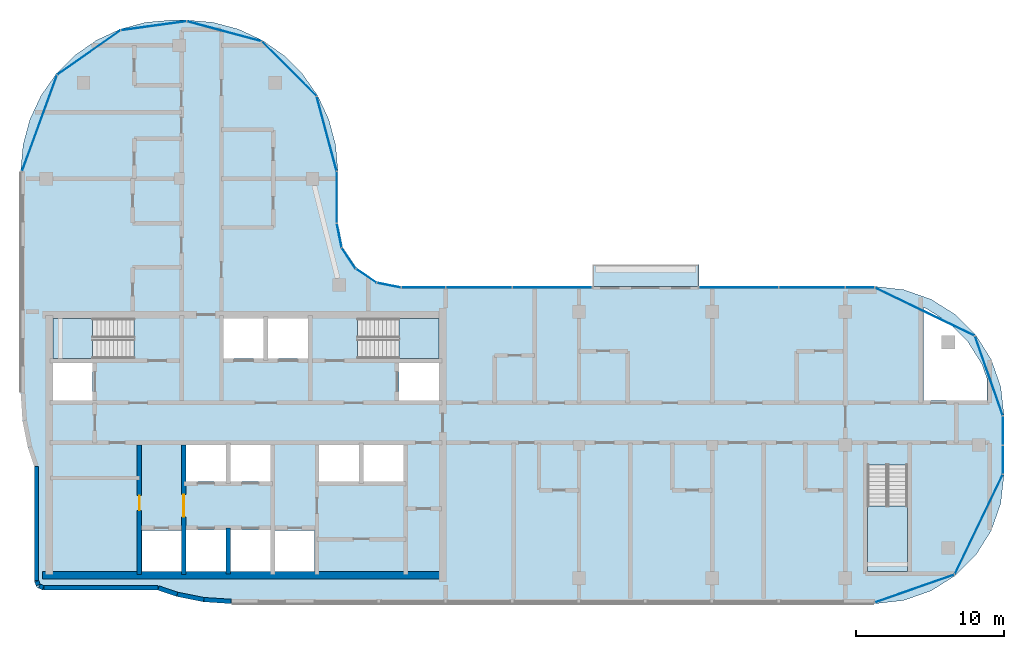
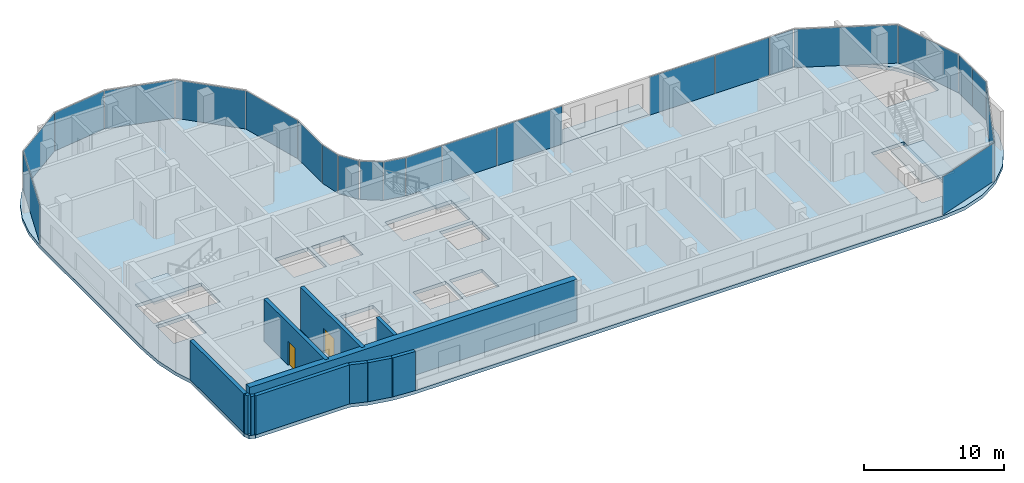
# One storey, part 8 of 19: 23 plates, 11 walls, 5 slabs, 2 doors, 2 openings, 11 elements without a shape of their own.
"""IFC4 building model written with IfcOpenShell, lengths in metres."""

from ifc_helpers import new_model, si_unit, direction, frame, frame_2d, origin, origin_2d, place, context, subcontext, project, spatial, polyline, rectangle, outline, extrude, material, layer, layer_set, type_object, element, fill, aggregate, save


model = new_model("IFC4")

# Units and contexts
model_context = context("Model", 3, precision=1e-05, world=origin(), true_north=direction((0.0, 1.0)))
body_context = subcontext(model_context, "Body", "Model", "MODEL_VIEW")
ifc_project = project(units=[si_unit("LENGTHUNIT", "METRE"), si_unit("AREAUNIT", "SQUARE_METRE"), si_unit("VOLUMEUNIT", "CUBIC_METRE"), si_unit("PLANEANGLEUNIT", "RADIAN"), si_unit("MASSUNIT", "GRAM", prefix="KILO")], contexts=[model_context])

# Site, building, storey
site_placement = place(None, origin())
site = spatial("IfcSite", under=ifc_project, at=site_placement, CompositionType="ELEMENT")
building_placement = place(site_placement, origin())
building = spatial("IfcBuilding", under=site, at=building_placement, Name="Ogive Portal Towers", CompositionType="ELEMENT")
storey_placement = place(building_placement, frame((0.0, 0.0, 199.5)))
storey = spatial("IfcBuildingStorey", under=building, at=storey_placement, Name="L49", CompositionType="ELEMENT", Elevation=199.5)

# Slab
ifc_material_1 = material(Name="Concrete C40/50", Category="concrete")
ifc_layer_1 = layer(ifc_material_1, 0.199951171875)
ifc_layer_set_1 = layer_set([ifc_layer_1], Name="BALCONY SLAB 200")
slab_type_1 = type_object("IfcSlabType", Name="BALCONY SLAB 200", PredefinedType="FLOOR", material=ifc_layer_set_1)
slab_1_placement = place(storey_placement, frame((0.0, 0.0, -0.199951171875)))
element("IfcSlab", 1, at=slab_1_placement, inside=storey, type_object=slab_type_1, Name="Balcony T2", PredefinedType="FLOOR", context=body_context, shape_type="SweptSolid", body=[
    extrude(outline(polyline([(68.39990234375, 41.215087890625), (75.60009765625, 41.215087890625), (75.60009765625, 42.715087890625), (68.39990234375, 42.715087890625), (68.39990234375, 41.215087890625)])), origin(), (0.0, 0.0, 1.0), 0.199951171875),
])

# Curtain wall, plates
ifc_material_2 = material(Name="Glass, clear low-iron insulated glazing", Category="glass")
curtain_wall_type = type_object("IfcCurtainWallType", Name="CW FRONT RIBBON 4500", PredefinedType="NOTDEFINED", material=ifc_material_2)
curtain_wall_1_placement = place(storey_placement, origin())
curtain_wall_1 = element("IfcCurtainWall", 2, at=curtain_wall_1_placement, inside=storey, type_object=curtain_wall_type, Name="A:L49:f10:cw0", PredefinedType="NOTDEFINED")
ifc_layer_2 = layer(ifc_material_2, 0.028076171875)
ifc_layer_set_2 = layer_set([ifc_layer_2], Name="CW PANEL IGU 28")
plate_type = type_object("IfcPlateType", Name="CW PANEL IGU 28", PredefinedType="CURTAIN_PANEL", material=ifc_layer_set_2)
plate_1_placement = place(storey_placement, frame((96.135009765625, 29.509033203125, 0.0), z_axis=(0.0, 0.0, 1.0), x_axis=(0.0, 1.0, 0.0)))
plate_1 = element("IfcPlate", 3, at=plate_1_placement, type_object=plate_type, Name="panel", PredefinedType="CURTAIN_PANEL", context=body_context, shape_type="SweptSolid", body=[
    extrude(rectangle(XDim=1.921630859375, YDim=0.028076171875, at=origin_2d()), origin(), (0.0, 0.0, 1.0), 3.340087890625),
])
plate_2_placement = place(storey_placement, frame((96.135009765625, 31.4931640625, 0.0), z_axis=(0.0, 0.0, 1.0), x_axis=(0.0, 1.0, 0.0)))
plate_2 = element("IfcPlate", 4, at=plate_2_placement, type_object=plate_type, Name="panel", PredefinedType="CURTAIN_PANEL", context=body_context, shape_type="SweptSolid", body=[
    extrude(rectangle(XDim=1.926513671875, YDim=0.028076171875, at=origin_2d()), origin(), (0.0, 0.0, 1.0), 3.340087890625),
])
aggregate(curtain_wall_1, [plate_1, plate_2])

curtain_wall_2_placement = place(storey_placement, origin())
curtain_wall_2 = element("IfcCurtainWall", 5, at=curtain_wall_2_placement, inside=storey, type_object=curtain_wall_type, Name="A:L49:f13:cw0", PredefinedType="NOTDEFINED")
plate_3_placement = place(storey_placement, frame((86.490966796875, 41.135009765625, 0.0), z_axis=(0.0, 0.0, 1.0), x_axis=(-1.0, 0.0, 0.0)))
plate_3 = element("IfcPlate", 6, at=plate_3_placement, type_object=plate_type, Name="panel", PredefinedType="CURTAIN_PANEL", context=body_context, shape_type="SweptSolid", body=[
    extrude(rectangle(XDim=1.921630859375, YDim=0.028076171875, at=origin_2d()), origin(), (0.0, 0.0, 1.0), 3.340087890625),
])
plate_4_placement = place(storey_placement, frame((83.25, 41.135009765625, 0.0), z_axis=(0.0, 0.0, 1.0), x_axis=(-1.0, 0.0, 0.0)))
plate_4 = element("IfcPlate", 7, at=plate_4_placement, type_object=plate_type, Name="panel", PredefinedType="CURTAIN_PANEL", context=body_context, shape_type="SweptSolid", body=[
    extrude(rectangle(XDim=4.43994140625, YDim=0.028076171875, at=origin_2d()), origin(), (0.0, 0.0, 1.0), 3.340087890625),
])
plate_5_placement = place(storey_placement, frame((78.292724609375, 41.135009765625, 0.0), z_axis=(0.0, 0.0, 1.0), x_axis=(-1.0, 0.0, 0.0)))
plate_5 = element("IfcPlate", 8, at=plate_5_placement, type_object=plate_type, Name="panel", PredefinedType="CURTAIN_PANEL", context=body_context, shape_type="SweptSolid", body=[
    extrude(rectangle(XDim=5.3544921875, YDim=0.028076171875, at=origin_2d()), origin(), (0.0, 0.0, 1.0), 3.340087890625),
])
aggregate(curtain_wall_2, [plate_3, plate_4, plate_5])

curtain_wall_3_placement = place(storey_placement, origin())
curtain_wall_3 = element("IfcCurtainWall", 9, at=curtain_wall_3_placement, inside=storey, type_object=curtain_wall_type, Name="A:L49:f13:cw1", PredefinedType="NOTDEFINED")
plate_6_placement = place(storey_placement, frame((65.69384765625, 41.135009765625, 0.0), z_axis=(0.0, 0.0, 1.0), x_axis=(-1.0, 0.0, 0.0)))
plate_6 = element("IfcPlate", 10, at=plate_6_placement, type_object=plate_type, Name="panel", PredefinedType="CURTAIN_PANEL", context=body_context, shape_type="SweptSolid", body=[
    extrude(rectangle(XDim=5.327880859375, YDim=0.028076171875, at=origin_2d()), origin(), (0.0, 0.0, 1.0), 3.340087890625),
])
plate_7_placement = place(storey_placement, frame((60.75, 41.135009765625, 0.0), z_axis=(0.0, 0.0, 1.0), x_axis=(-1.0, 0.0, 0.0)))
plate_7 = element("IfcPlate", 11, at=plate_7_placement, type_object=plate_type, Name="panel", PredefinedType="CURTAIN_PANEL", context=body_context, shape_type="SweptSolid", body=[
    extrude(rectangle(XDim=4.43994140625, YDim=0.028076171875, at=origin_2d()), origin(), (0.0, 0.0, 1.0), 3.340087890625),
])
plate_8_placement = place(storey_placement, frame((56.99609375, 41.135009765625, 0.0), z_axis=(0.0, 0.0, 1.0), x_axis=(-1.0, 0.0, 0.0)))
plate_8 = element("IfcPlate", 12, at=plate_8_placement, type_object=plate_type, Name="panel", PredefinedType="CURTAIN_PANEL", context=body_context, shape_type="SweptSolid", body=[
    extrude(rectangle(XDim=2.947998046875, YDim=0.028076171875, at=origin_2d()), origin(), (0.0, 0.0, 1.0), 3.340087890625),
])
aggregate(curtain_wall_3, [plate_6, plate_7, plate_8])

# Curtain wall, plate
curtain_wall_4_placement = place(storey_placement, origin())
curtain_wall_4 = element("IfcCurtainWall", 13, at=curtain_wall_4_placement, inside=storey, type_object=curtain_wall_type, Name="A:L49:f18:cw0", PredefinedType="NOTDEFINED")
plate_9_placement = place(storey_placement, frame((51.135009765625, 47.24072265625, 0.0), z_axis=(0.0, 0.0, 1.0), x_axis=(0.0, 1.0, 0.0)))
plate_9 = element("IfcPlate", 14, at=plate_9_placement, type_object=plate_type, Name="panel", PredefinedType="CURTAIN_PANEL", context=body_context, shape_type="SweptSolid", body=[
    extrude(rectangle(XDim=3.437255859375, YDim=0.028076171875, at=origin_2d()), origin(), (0.0, 0.0, 1.0), 3.340087890625),
])
aggregate(curtain_wall_4, [plate_9])

# Curtain wall, plates
curtain_wall_5_placement = place(storey_placement, origin())
curtain_wall_5 = element("IfcCurtainWall", 15, at=curtain_wall_5_placement, inside=storey, type_object=curtain_wall_type, Name="A:L49:f08:cwa", PredefinedType="NOTDEFINED")
plate_10_placement = place(storey_placement, frame((90.18115234375, 20.807861328125, 0.0), z_axis=(0.0, 0.0, 1.0), x_axis=(0.943883330307, 0.33027906196, 0.0)))
plate_10 = element("IfcPlate", 16, at=plate_10_placement, type_object=plate_type, Name="panel", PredefinedType="CURTAIN_PANEL", context=body_context, shape_type="SweptSolid", body=[
    extrude(rectangle(XDim=5.650146484375, YDim=0.028076171875, at=origin_2d()), origin(), (0.0, 0.0, 1.0), 3.340087890625),
])
plate_11_placement = place(storey_placement, frame((94.505615234375, 25.134521484375, 0.0), z_axis=(0.0, 0.0, 1.0), x_axis=(0.433883739113, 0.900968867905, 0.0)))
plate_11 = element("IfcPlate", 17, at=plate_11_placement, type_object=plate_type, Name="panel", PredefinedType="CURTAIN_PANEL", context=body_context, shape_type="SweptSolid", body=[
    extrude(rectangle(XDim=7.451171875, YDim=0.028076171875, at=origin_2d()), origin(), (0.0, 0.0, 1.0), 3.340087890625),
])
aggregate(curtain_wall_5, [plate_10, plate_11])

curtain_wall_6_placement = place(storey_placement, origin())
curtain_wall_6 = element("IfcCurtainWall", 18, at=curtain_wall_6_placement, inside=storey, type_object=curtain_wall_type, Name="A:L49:f11:cwa", PredefinedType="NOTDEFINED")
plate_12_placement = place(storey_placement, frame((95.192138671875, 35.18115234375, 0.0), z_axis=(0.0, 0.0, 1.0), x_axis=(-0.33027906196, 0.943883330307, 0.0)))
plate_12 = element("IfcPlate", 19, at=plate_12_placement, type_object=plate_type, Name="panel", PredefinedType="CURTAIN_PANEL", context=body_context, shape_type="SweptSolid", body=[
    extrude(rectangle(XDim=5.650146484375, YDim=0.028076171875, at=origin_2d()), origin(), (0.0, 0.0, 1.0), 3.340087890625),
])
plate_13_placement = place(storey_placement, frame((90.865478515625, 39.505615234375, 0.0), z_axis=(0.0, 0.0, 1.0), x_axis=(-0.900968867905, 0.433883739113, 0.0)))
plate_13 = element("IfcPlate", 20, at=plate_13_placement, type_object=plate_type, Name="panel", PredefinedType="CURTAIN_PANEL", context=body_context, shape_type="SweptSolid", body=[
    extrude(rectangle(XDim=7.451171875, YDim=0.028076171875, at=origin_2d()), origin(), (0.0, 0.0, 1.0), 3.340087890625),
])
aggregate(curtain_wall_6, [plate_12, plate_13])

curtain_wall_7_placement = place(storey_placement, origin())
curtain_wall_7 = element("IfcCurtainWall", 21, at=curtain_wall_7_placement, inside=storey, type_object=curtain_wall_type, Name="A:L49:f14:cwa", PredefinedType="NOTDEFINED")
plate_14_placement = place(storey_placement, frame((54.66064453125, 41.30029296875, 0.0), z_axis=(0.0, 0.0, 1.0), x_axis=(-0.980785280403, 0.195090322016, 0.0)))
plate_14 = element("IfcPlate", 22, at=plate_14_placement, type_object=plate_type, Name="panel", PredefinedType="CURTAIN_PANEL", context=body_context, shape_type="SweptSolid", body=[
    extrude(rectangle(XDim=1.6357421875, YDim=0.028076171875, at=origin_2d()), origin(), (0.0, 0.0, 1.0), 3.340087890625),
])
plate_15_placement = place(storey_placement, frame((53.12060546875, 41.939208984375, 0.0), z_axis=(0.0, 0.0, 1.0), x_axis=(-0.831469612303, 0.55557023302, 0.0)))
plate_15 = element("IfcPlate", 23, at=plate_15_placement, type_object=plate_type, Name="panel", PredefinedType="CURTAIN_PANEL", context=body_context, shape_type="SweptSolid", body=[
    extrude(rectangle(XDim=1.643798828125, YDim=0.028076171875, at=origin_2d()), origin(), (0.0, 0.0, 1.0), 3.340087890625),
])
plate_16_placement = place(storey_placement, frame((51.939208984375, 43.12060546875, 0.0), z_axis=(0.0, 0.0, 1.0), x_axis=(-0.55557023302, 0.831469612303, 0.0)))
plate_16 = element("IfcPlate", 24, at=plate_16_placement, type_object=plate_type, Name="panel", PredefinedType="CURTAIN_PANEL", context=body_context, shape_type="SweptSolid", body=[
    extrude(rectangle(XDim=1.643798828125, YDim=0.028076171875, at=origin_2d()), origin(), (0.0, 0.0, 1.0), 3.340087890625),
])
plate_17_placement = place(storey_placement, frame((51.30029296875, 44.66064453125, 0.0), z_axis=(0.0, 0.0, 1.0), x_axis=(-0.195090322016, 0.980785280403, 0.0)))
plate_17 = element("IfcPlate", 25, at=plate_17_placement, type_object=plate_type, Name="panel", PredefinedType="CURTAIN_PANEL", context=body_context, shape_type="SweptSolid", body=[
    extrude(rectangle(XDim=1.6357421875, YDim=0.028076171875, at=origin_2d()), origin(), (0.0, 0.0, 1.0), 3.340087890625),
])
aggregate(curtain_wall_7, [plate_14, plate_15, plate_16, plate_17])

curtain_wall_8_placement = place(storey_placement, origin())
curtain_wall_8 = element("IfcCurtainWall", 26, at=curtain_wall_8_placement, inside=storey, type_object=curtain_wall_type, Name="A:L49:f19:cwa", PredefinedType="NOTDEFINED")
plate_18_placement = place(storey_placement, frame((50.454833984375, 51.52783203125, 0.0), z_axis=(0.0, 0.0, 1.0), x_axis=(-0.258819045103, 0.965925826289, 0.0)))
plate_18 = element("IfcPlate", 27, at=plate_18_placement, type_object=plate_type, Name="panel", PredefinedType="CURTAIN_PANEL", context=body_context, shape_type="SweptSolid", body=[
    extrude(rectangle(XDim=5.19580078125, YDim=0.028076171875, at=origin_2d()), origin(), (0.0, 0.0, 1.0), 3.340087890625),
])
plate_19_placement = place(storey_placement, frame((47.92041015625, 55.92041015625, 0.0), z_axis=(0.0, 0.0, 1.0), x_axis=(-0.707106781187, 0.707106781187, 0.0)))
plate_19 = element("IfcPlate", 28, at=plate_19_placement, type_object=plate_type, Name="panel", PredefinedType="CURTAIN_PANEL", context=body_context, shape_type="SweptSolid", body=[
    extrude(rectangle(XDim=5.184814453125, YDim=0.028076171875, at=origin_2d()), origin(), (0.0, 0.0, 1.0), 3.340087890625),
])
plate_20_placement = place(storey_placement, frame((43.530517578125, 58.4541015625, 0.0), z_axis=(0.0, 0.0, 1.0), x_axis=(-0.965925826289, 0.258819045103, 0.0)))
plate_20 = element("IfcPlate", 29, at=plate_20_placement, type_object=plate_type, Name="panel", PredefinedType="CURTAIN_PANEL", context=body_context, shape_type="SweptSolid", body=[
    extrude(rectangle(XDim=5.190185546875, YDim=0.028076171875, at=origin_2d()), origin(), (0.0, 0.0, 1.0), 3.340087890625),
])
plate_21_placement = place(storey_placement, frame((38.765625, 58.827880859375, 0.0), z_axis=(0.0, 0.0, 1.0), x_axis=(-0.990733764465, -0.135818290186, 0.0)))
plate_21 = element("IfcPlate", 30, at=plate_21_placement, type_object=plate_type, Name="panel", PredefinedType="CURTAIN_PANEL", context=body_context, shape_type="SweptSolid", body=[
    extrude(rectangle(XDim=4.440185546875, YDim=0.028076171875, at=origin_2d()), origin(), (0.0, 0.0, 1.0), 3.340087890625),
])
plate_22_placement = place(storey_placement, frame((34.388916015625, 57.0185546875, 0.0), z_axis=(0.0, 0.0, 1.0), x_axis=(-0.819152044289, -0.573576436351, 0.0)))
plate_22 = element("IfcPlate", 31, at=plate_22_placement, type_object=plate_type, Name="panel", PredefinedType="CURTAIN_PANEL", context=body_context, shape_type="SweptSolid", body=[
    extrude(rectangle(XDim=5.18310546875, YDim=0.028076171875, at=origin_2d()), origin(), (0.0, 0.0, 1.0), 3.340087890625),
])
plate_23_placement = place(storey_placement, frame((31.05322265625, 52.25048828125, 0.0), z_axis=(0.0, 0.0, 1.0), x_axis=(-0.342020143326, -0.939692620786, 0.0)))
plate_23 = element("IfcPlate", 32, at=plate_23_placement, type_object=plate_type, Name="panel", PredefinedType="CURTAIN_PANEL", context=body_context, shape_type="SweptSolid", body=[
    extrude(rectangle(XDim=6.88818359375, YDim=0.028076171875, at=origin_2d()), origin(), (0.0, 0.0, 1.0), 3.340087890625),
])
aggregate(curtain_wall_8, [plate_18, plate_19, plate_20, plate_21, plate_22, plate_23])

# Stair, slab
stair_type = type_object("IfcStairType", Name="INT-STAIR", PredefinedType="HALF_TURN_STAIR", material=ifc_material_1)
stair_1_placement = place(storey_placement, origin())
stair_1 = element("IfcStair", 33, at=stair_1_placement, inside=storey, type_object=stair_type, Name="L49 Exit Stair ST-A1", PredefinedType="HALF_TURN_STAIR")
ifc_layer_3 = layer(ifc_material_1, 0.199951171875)
ifc_layer_set_3 = layer_set([ifc_layer_3], Name="INT-LANDING")
slab_type_2 = type_object("IfcSlabType", Name="INT-LANDING", PredefinedType="LANDING", material=ifc_layer_set_3)
slab_2_placement = place(storey_placement, frame((0.0, 0.0, 1.64990234375)))
slab_2 = element("IfcSlab", 34, at=slab_2_placement, type_object=slab_type_2, Name="ST-A1 landing 1", PredefinedType="LANDING", context=body_context, shape_type="SweptSolid", body=[
    extrude(outline(polyline([(34.64990234375, 39.050048828125), (31.949951171875, 39.050048828125), (31.949951171875, 36.35009765625), (34.64990234375, 36.35009765625), (34.64990234375, 39.050048828125)])), origin(), (0.0, 0.0, 1.0), 0.2001953125),
])
aggregate(stair_1, [slab_2])

stair_2_placement = place(storey_placement, origin())
stair_2 = element("IfcStair", 35, at=stair_2_placement, inside=storey, type_object=stair_type, Name="L49 Exit Stair ST-A2", PredefinedType="HALF_TURN_STAIR")
slab_3_placement = place(storey_placement, frame((0.0, 0.0, 1.64990234375)))
slab_3 = element("IfcSlab", 36, at=slab_3_placement, type_object=slab_type_2, Name="ST-A2 landing 1", PredefinedType="LANDING", context=body_context, shape_type="SweptSolid", body=[
    extrude(outline(polyline([(55.35009765625, 36.35009765625), (58.050048828125, 36.35009765625), (58.050048828125, 39.050048828125), (55.35009765625, 39.050048828125), (55.35009765625, 36.35009765625)])), origin(), (0.0, 0.0, 1.0), 0.2001953125),
])
aggregate(stair_2, [slab_3])

stair_3_placement = place(storey_placement, origin())
stair_3 = element("IfcStair", 37, at=stair_3_placement, inside=storey, type_object=stair_type, Name="L49 Exit Stair ST-A4", PredefinedType="HALF_TURN_STAIR")
slab_4_placement = place(storey_placement, frame((0.0, 0.0, 1.64990234375)))
slab_4 = element("IfcSlab", 38, at=slab_4_placement, type_object=slab_type_2, Name="ST-A4 landing 1", PredefinedType="LANDING", context=body_context, shape_type="SweptSolid", body=[
    extrude(outline(polyline([(87.0, 26.3701171875), (87.0, 21.949951171875), (89.699951171875, 21.949951171875), (89.699951171875, 26.3701171875), (87.0, 26.3701171875)])), origin(), (0.0, 0.0, 1.0), 0.2001953125),
])
aggregate(stair_3, [slab_4])

# Slab
ifc_material_3 = material(Name="Concrete C45/55", Category="concrete")
ifc_layer_4 = layer(ifc_material_3, 0.300048828125)
ifc_layer_set_4 = layer_set([ifc_layer_4], Name="PT FLAT PLATE 300")
slab_type_3 = type_object("IfcSlabType", Name="PT FLAT PLATE 300", PredefinedType="FLOOR", material=ifc_layer_set_4)
slab_5_placement = place(storey_placement, frame((0.0, 0.0, -0.300048828125)))
element("IfcSlab", 39, at=slab_5_placement, inside=storey, type_object=slab_type_3, Name="Floor slab L49", PredefinedType="FLOOR", context=body_context, shape_type="SweptSolid", body=[
    extrude(outline(polyline([(29.906494140625, 32.14453125), (30.269287109375, 30.32080078125), (30.699951171875, 29.05224609375), (30.699951171875, 21.300048828125), (30.875732421875, 20.875732421875), (31.300048828125, 20.699951171875), (39.05224609375, 20.699951171875), (40.32080078125, 20.269287109375), (42.14453125, 19.906494140625), (44.0, 19.784912109375), (87.5, 19.784912109375), (89.439208984375, 20.00341796875), (91.28125, 20.648193359375), (92.93359375, 21.686279296875), (94.313720703125, 23.06640625), (95.351806640625, 24.71875), (95.99658203125, 26.560791015625), (96.215087890625, 28.5), (96.215087890625, 32.5), (95.99658203125, 34.439208984375), (95.351806640625, 36.28125), (94.313720703125, 37.93359375), (92.93359375, 39.313720703125), (91.28125, 40.351806640625), (89.439208984375, 40.99658203125), (87.5, 41.215087890625), (55.5, 41.215087890625), (53.860107421875, 41.541259765625), (52.469970703125, 42.469970703125), (51.541259765625, 43.860107421875), (51.215087890625, 45.5), (51.215087890625, 49.0), (51.059814453125, 50.773681640625), (50.59912109375, 52.49365234375), (49.846435546875, 54.107421875), (48.8251953125, 55.566162109375), (47.566162109375, 56.8251953125), (46.107421875, 57.846435546875), (44.49365234375, 58.59912109375), (42.773681640625, 59.059814453125), (41.0, 59.215087890625), (40.0, 59.215087890625), (38.226318359375, 59.059814453125), (36.50634765625, 58.59912109375), (34.892578125, 57.846435546875), (33.433837890625, 56.8251953125), (32.1748046875, 55.566162109375), (31.153564453125, 54.107421875), (30.40087890625, 52.49365234375), (29.940185546875, 50.773681640625), (29.784912109375, 49.0), (29.784912109375, 34.0), (29.906494140625, 32.14453125)]), holes=[polyline([(40.6298828125, 21.969970703125), (37.969970703125, 21.969970703125), (37.969970703125, 24.72998046875), (40.6298828125, 24.72998046875), (40.6298828125, 21.969970703125)]), polyline([(43.64990234375, 24.75), (43.64990234375, 21.949951171875), (40.949951171875, 21.949951171875), (40.949951171875, 24.75), (43.64990234375, 24.75)]), polyline([(46.64990234375, 24.75), (46.64990234375, 21.949951171875), (43.949951171875, 21.949951171875), (43.949951171875, 24.75), (46.64990234375, 24.75)]), polyline([(43.64990234375, 30.5), (43.64990234375, 28.050048828125), (40.949951171875, 28.050048828125), (40.949951171875, 30.5), (43.64990234375, 30.5)]), polyline([(46.64990234375, 30.5), (46.64990234375, 28.050048828125), (43.949951171875, 28.050048828125), (43.949951171875, 30.5), (46.64990234375, 30.5)]), polyline([(34.64990234375, 36.050048828125), (34.64990234375, 33.5), (31.949951171875, 33.5), (31.949951171875, 36.050048828125), (34.64990234375, 36.050048828125)]), polyline([(31.951904296875, 39.048095703125), (37.447998046875, 39.048095703125), (37.447998046875, 36.35205078125), (31.951904296875, 36.35205078125), (31.951904296875, 39.048095703125)]), polyline([(46.199951171875, 39.050048828125), (46.199951171875, 36.35009765625), (43.5, 36.35009765625), (43.5, 39.050048828125), (46.199951171875, 39.050048828125)]), polyline([(49.6298828125, 21.969970703125), (46.969970703125, 21.969970703125), (46.969970703125, 24.72998046875), (49.6298828125, 24.72998046875), (49.6298828125, 21.969970703125)]), polyline([(87.001953125, 21.951904296875), (87.001953125, 29.16796875), (89.697998046875, 29.16796875), (89.697998046875, 21.951904296875), (87.001953125, 21.951904296875)]), polyline([(52.64990234375, 30.5), (52.64990234375, 28.050048828125), (49.949951171875, 28.050048828125), (49.949951171875, 30.5), (52.64990234375, 30.5)]), polyline([(55.64990234375, 30.5), (55.64990234375, 28.050048828125), (52.949951171875, 28.050048828125), (52.949951171875, 30.5), (55.64990234375, 30.5)]), polyline([(58.050048828125, 36.050048828125), (58.050048828125, 33.5), (55.35009765625, 33.5), (55.35009765625, 36.050048828125), (58.050048828125, 36.050048828125)]), polyline([(93.762939453125, 37.494384765625), (94.71728515625, 35.9755859375), (95.080078125, 34.93896484375), (95.080078125, 33.52001953125), (90.77001953125, 33.52001953125), (90.77001953125, 39.789306640625), (90.9755859375, 39.71728515625), (92.494384765625, 38.762939453125), (93.762939453125, 37.494384765625)]), polyline([(49.199951171875, 39.050048828125), (49.199951171875, 36.35009765625), (46.5, 36.35009765625), (46.5, 39.050048828125), (49.199951171875, 39.050048828125)]), polyline([(58.048095703125, 36.35205078125), (52.552001953125, 36.35205078125), (52.552001953125, 39.048095703125), (58.048095703125, 39.048095703125), (58.048095703125, 36.35205078125)])]), origin(), (0.0, 0.0, 1.0), 0.300048828125),
])

# Wall, opening, door
ifc_material_4 = material(Name="Concrete C60/75", Category="concrete")
ifc_layer_5 = layer(ifc_material_4, 0.300048828125)
ifc_layer_set_5 = layer_set([ifc_layer_5], Name="CORE WALL 300 C60")
wall_type_1 = type_object("IfcWallType", Name="CORE WALL 300 C60", PredefinedType="SHEAR", material=ifc_layer_set_5)
wall_1_placement = place(storey_placement, frame((37.800048828125, 21.75, 0.0), z_axis=(0.0, 0.0, 1.0), x_axis=(0.0, 1.0, 0.0)))
wall_1 = element("IfcWall", 40, at=wall_1_placement, inside=storey, type_object=wall_type_1, Name="Core wall X1 L49", PredefinedType="SHEAR", context=body_context, shape_type="SweptSolid", body=[
    extrude(rectangle(XDim=8.75, YDim=0.300048828125, at=frame_2d((4.375, 0.0))), origin(), (0.0, 0.0, 1.0), 3.699951171875),
])
opening_1_placement = place(wall_1_placement, frame((4.337890625, 0.0, 0.0)))
opening_1 = element("IfcOpeningElement", 41, at=opening_1_placement, cuts=wall_1, Name="Opening D22-022", PredefinedType="OPENING", context=body_context, shape_type="SweptSolid", body=[
    extrude(rectangle(XDim=1.0, YDim=2.10009765625, at=frame_2d((0.5, 1.050048828125))), frame((0.0, 0.16015625, 0.0), z_axis=(0.0, -1.0, 0.0), x_axis=(1.0, 0.0, 0.0)), (0.0, 0.0, 1.0), 0.320068359375),
])
ifc_material_5 = material(Name="Steel fire door", Category="steel")
door_type_1 = type_object("IfcDoorType", Name="DT-SWING-1000x2100-FD90S", OperationType="SINGLE_SWING_LEFT", PredefinedType="DOOR", material=ifc_material_5)
door_1_placement = place(opening_1_placement, origin())
door_1 = element("IfcDoor", 42, at=door_1_placement, inside=storey, type_object=door_type_1, Name="Door D22-022", OperationType="SINGLE_SWING_RIGHT", OverallHeight=2.10009765625, OverallWidth=1.0, PredefinedType="DOOR", context=body_context, shape_type="SweptSolid", body=[
    extrude(rectangle(XDim=1.0, YDim=2.10009765625, at=frame_2d((0.5, 1.050048828125))), frame((0.0, 0.02490234375, 0.0), z_axis=(0.0, -1.0, 0.0), x_axis=(1.0, 0.0, 0.0)), (0.0, 0.0, 1.0), 0.050048828125),
])
fill(opening_1, door_1)

wall_2_placement = place(storey_placement, frame((40.800048828125, 21.75, 0.0), z_axis=(0.0, 0.0, 1.0), x_axis=(0.0, 1.0, 0.0)))
wall_2 = element("IfcWall", 43, at=wall_2_placement, inside=storey, type_object=wall_type_1, Name="Core wall X2 L49", PredefinedType="SHEAR", context=body_context, shape_type="SweptSolid", body=[
    extrude(rectangle(XDim=8.75, YDim=0.300048828125, at=frame_2d((4.375, 0.0))), origin(), (0.0, 0.0, 1.0), 3.699951171875),
])
opening_2_placement = place(wall_2_placement, frame((3.89990234375, 0.0, 0.0)))
opening_2 = element("IfcOpeningElement", 44, at=opening_2_placement, cuts=wall_2, Name="Opening D22-001", PredefinedType="OPENING", context=body_context, shape_type="SweptSolid", body=[
    extrude(rectangle(XDim=1.5, YDim=2.10009765625, at=frame_2d((0.75, 1.050048828125))), frame((0.0, 0.16015625, 0.0), z_axis=(0.0, -1.0, 0.0), x_axis=(1.0, 0.0, 0.0)), (0.0, 0.0, 1.0), 0.320068359375),
])
door_type_2 = type_object("IfcDoorType", Name="DT-SWING-1500x2100-FD90S", OperationType="SINGLE_SWING_LEFT", PredefinedType="DOOR", material=ifc_material_5)
door_2_placement = place(opening_2_placement, origin())
door_2 = element("IfcDoor", 45, at=door_2_placement, inside=storey, type_object=door_type_2, Name="Door D22-001", OperationType="SINGLE_SWING_RIGHT", OverallHeight=2.10009765625, OverallWidth=1.5, PredefinedType="DOOR", context=body_context, shape_type="SweptSolid", body=[
    extrude(rectangle(XDim=1.5, YDim=2.10009765625, at=frame_2d((0.75, 1.050048828125))), frame((0.0, 0.02490234375, 0.0), z_axis=(0.0, -1.0, 0.0), x_axis=(1.0, 0.0, 0.0)), (0.0, 0.0, 1.0), 0.050048828125),
])
fill(opening_2, door_2)

# Walls
ifc_layer_6 = layer(ifc_material_4, 0.5)
ifc_layer_set_6 = layer_set([ifc_layer_6], Name="CORE WALL 500 C60")
wall_type_2 = type_object("IfcWallType", Name="CORE WALL 500 C60", PredefinedType="SHEAR", material=ifc_layer_set_6)
wall_3_placement = place(storey_placement, frame((31.25, 21.699951171875, 0.0), z_axis=(0.0, 0.0, 1.0), x_axis=(1.0, 0.0, 0.0)))
element("IfcWall", 46, at=wall_3_placement, inside=storey, type_object=wall_type_2, Name="Core wall S L49", PredefinedType="SHEAR", context=body_context, shape_type="SweptSolid", body=[
    extrude(rectangle(XDim=27.0, YDim=0.5, at=frame_2d((13.5, 0.0))), origin(), (0.0, 0.0, 1.0), 3.699951171875),
])
ifc_material_6 = material(Name="Limestone cladding on lightweight block wall", Category="masonry")
ifc_layer_7 = layer(ifc_material_6, 0.300048828125)
ifc_layer_set_7 = layer_set([ifc_layer_7], Name="EXTERNAL WALL 300 STONE")
wall_type_3 = type_object("IfcWallType", Name="EXTERNAL WALL 300 STONE", PredefinedType="SOLIDWALL", material=ifc_layer_set_7)
wall_4_placement = place(storey_placement, frame((30.85009765625, 29.05224609375, 0.0), z_axis=(0.0, 0.0, 1.0), x_axis=(0.0, -1.0, 0.0)))
element("IfcWall", 47, at=wall_4_placement, inside=storey, type_object=wall_type_3, Name="A:L49:f00:r0:wall", PredefinedType="SOLIDWALL", context=body_context, shape_type="SweptSolid", body=[
    extrude(rectangle(XDim=7.692626953125, YDim=0.300048828125, at=frame_2d((3.84619140625, 0.0))), origin(), (0.0, 0.0, 1.0), 3.39990234375),
])
for number, where, z_axis, x_axis, name in (
    (48, (30.861328125, 21.30224609375, 0.0), (0.0, 0.0, 1.0), (0.38297812142, -0.923757413239, 0.0), "A:L49:f01:r0:wall"),
    (49, (31.0478515625, 20.966796875, 0.0), (0.0, 0.0, 1.0), (0.923757413239, -0.38297812142, 0.0), "A:L49:f02:r0:wall"),
):
    element("IfcWall", number, at=place(storey_placement, frame(where, z_axis=z_axis, x_axis=x_axis)), inside=storey, type_object=wall_type_3, Name=name, PredefinedType="SOLIDWALL", context=body_context, shape_type="SweptSolid", body=[
        extrude(rectangle(XDim=0.275390625, YDim=0.300048828125, at=frame_2d((0.1376953125, 0.0))), origin(), (0.0, 0.0, 1.0), 3.39990234375),
    ])
wall_5_placement = place(storey_placement, frame((31.359619140625, 20.85009765625, 0.0), z_axis=(0.0, 0.0, 1.0), x_axis=(1.0, 0.0, 0.0)))
element("IfcWall", 50, at=wall_5_placement, inside=storey, type_object=wall_type_3, Name="A:L49:f03:r0:wall", PredefinedType="SOLIDWALL", context=body_context, shape_type="SweptSolid", body=[
    extrude(rectangle(XDim=7.692626953125, YDim=0.300048828125, at=frame_2d((3.84619140625, 0.0))), origin(), (0.0, 0.0, 1.0), 3.39990234375),
])
wall_6_placement = place(storey_placement, frame((39.1005859375, 20.842041015625, 0.0), z_axis=(0.0, 0.0, 1.0), x_axis=(0.946930456305, -0.32143850255, 0.0)))
element("IfcWall", 51, at=wall_6_placement, inside=storey, type_object=wall_type_3, Name="A:L49:f04:r0:wall", PredefinedType="SOLIDWALL", context=body_context, shape_type="SweptSolid", body=[
    extrude(rectangle(XDim=1.320068359375, YDim=0.300048828125, at=frame_2d((0.66015625, 0.0))), origin(), (0.0, 0.0, 1.0), 3.39990234375),
])
wall_7_placement = place(storey_placement, frame((40.369384765625, 20.41259765625, 0.0), z_axis=(0.0, 0.0, 1.0), x_axis=(0.980796757168, -0.195032615553, 0.0)))
element("IfcWall", 52, at=wall_7_placement, inside=storey, type_object=wall_type_3, Name="A:L49:f05:r0:wall", PredefinedType="SOLIDWALL", context=body_context, shape_type="SweptSolid", body=[
    extrude(rectangle(XDim=1.820068359375, YDim=0.300048828125, at=frame_2d((0.91015625, 0.0))), origin(), (0.0, 0.0, 1.0), 3.39990234375),
])
wall_8_placement = place(storey_placement, frame((42.174072265625, 20.054931640625, 0.0), z_axis=(0.0, 0.0, 1.0), x_axis=(0.997860660543, -0.065376617685, 0.0)))
element("IfcWall", 53, at=wall_8_placement, inside=storey, type_object=wall_type_3, Name="A:L49:f06:r0:wall", PredefinedType="SOLIDWALL", context=body_context, shape_type="SweptSolid", body=[
    extrude(rectangle(XDim=1.829833984375, YDim=0.300048828125, at=frame_2d((0.9150390625, 0.0))), origin(), (0.0, 0.0, 1.0), 3.39990234375),
])
ifc_layer_8 = layer(ifc_material_1, 0.300048828125)
ifc_layer_set_8 = layer_set([ifc_layer_8], Name="WT-SHAFT-300")
wall_type_4 = type_object("IfcWallType", Name="WT-SHAFT-300", PredefinedType="SOLIDWALL", material=ifc_layer_set_8)
wall_9_placement = place(storey_placement, frame((43.800048828125, 21.800048828125, 0.0), z_axis=(0.0, 0.0, 1.0), x_axis=(0.0, 1.0, 0.0)))
element("IfcWall", 54, at=wall_9_placement, inside=storey, type_object=wall_type_4, Name="Wall pw:008:L49", PredefinedType="SOLIDWALL", context=body_context, shape_type="SweptSolid", body=[
    extrude(rectangle(XDim=3.099853515625, YDim=0.300048828125, at=frame_2d((1.5498046875, 0.0))), origin(), (0.0, 0.0, 1.0), 3.39990234375),
])

save(model, "model.ifc")
